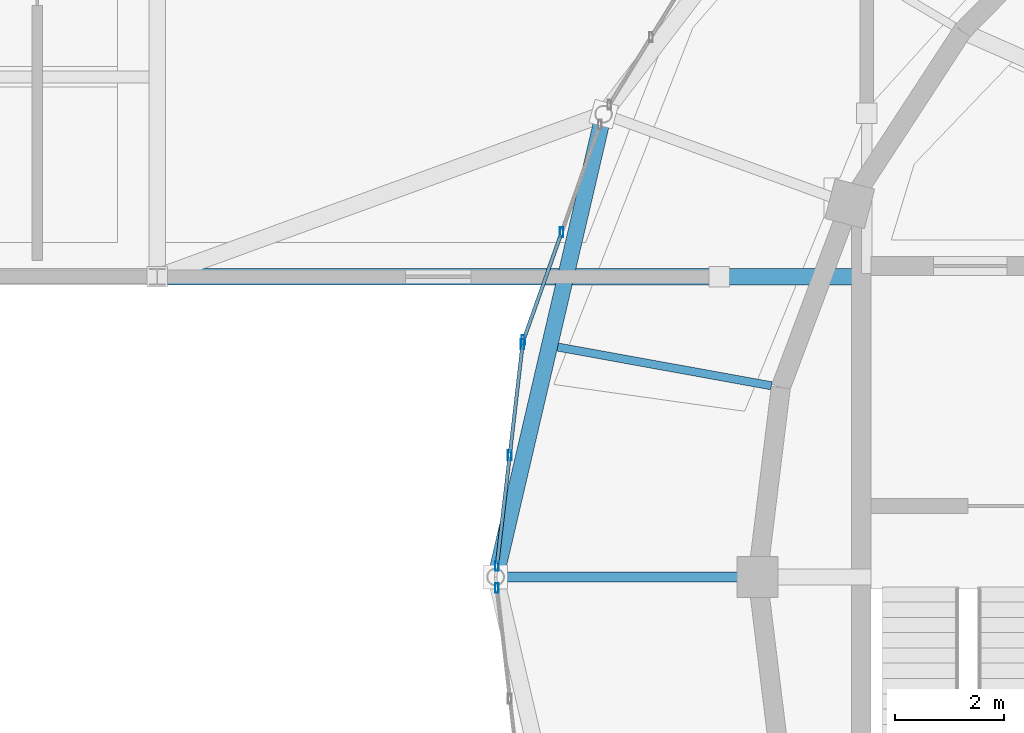
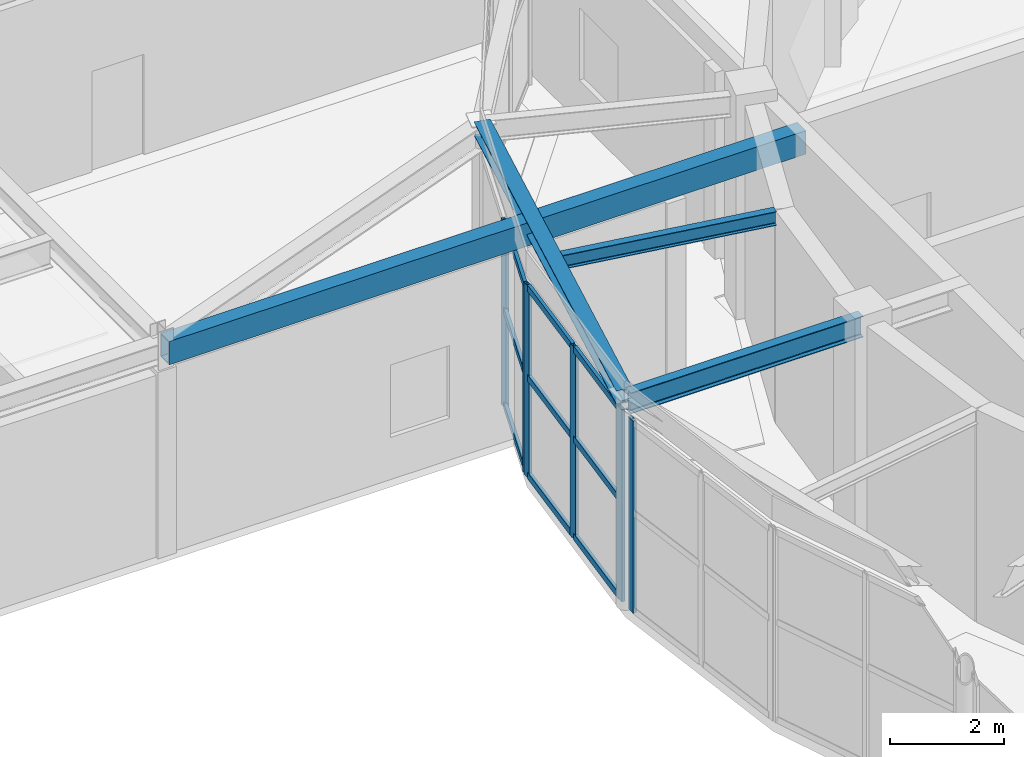
# One storey, part 32 of 108: 15 members, 4 beams, 3 elements without a shape of their own.
"""IFC4 building model written with IfcOpenShell, lengths in metres."""

import ifcopenshell
import ifcopenshell.guid

model = None  # the IFC model being written
_history = None  # IfcOwnerHistory: only IFC2X3 demands one
_inside = {}  # id of a spatial element -> (the spatial element, [elements in it])
_under = {}  # id of a project, library or spatial element -> (it, [spatial elements below it])
_declared = {}  # id of a project -> (the project, [libraries it declares])
_typed = {}  # id of a type object -> (the type object, [elements of that type])
_made_of = {}  # id of a material, layer set ... -> (it, [elements and type objects made of it])


def new_model(schema):
    """Start an empty IFC model of exactly this schema.

    Asked for "IFC4X3", IfcOpenShell would pick the latest addendum, in which some entities
    have other attributes; the version numbers below select the first issue.
    IFC2X3 requires an IfcOwnerHistory on every rooted entity: one is made here for all.
    """
    global model, _history
    if schema == "IFC4X3":
        model = ifcopenshell.file(schema_version=(4, 3, 0, 0))
    else:
        model = ifcopenshell.file(schema=schema)
    _inside.clear()
    _under.clear()
    _declared.clear()
    _typed.clear()
    _made_of.clear()
    _history = None
    if model.schema == "IFC2X3":
        org = make("IfcOrganization", Name="unknown")
        user = make(
            "IfcPersonAndOrganization",
            ThePerson=make("IfcPerson", FamilyName="unknown"),
            TheOrganization=org,
        )
        app = make(
            "IfcApplication",
            ApplicationDeveloper=org,
            Version="unknown",
            ApplicationFullName="unknown",
            ApplicationIdentifier="unknown",
        )
        _history = make(
            "IfcOwnerHistory",
            OwningUser=user,
            OwningApplication=app,
            ChangeAction="ADDED",
            CreationDate=0,
        )
    return model


def make(cls, **values):
    """One entity of the class cls with the attributes given. An attribute that is None is left unset."""
    return model.create_entity(
        cls, **{name: value for name, value in values.items() if value is not None}
    )


def rooted(cls, **values):
    """An entity with a GlobalId (a new one), such as an element, a storey or a relation."""
    return make(cls, GlobalId=ifcopenshell.guid.new(), OwnerHistory=_history, **values)


def si_unit(unit_type, name, prefix=None):
    """IfcSIUnit, for example si_unit("LENGTHUNIT", "METRE", prefix="MILLI")."""
    return make("IfcSIUnit", UnitType=unit_type, Prefix=prefix, Name=name)


def assignment(units):
    """IfcUnitAssignment: the units of a project."""
    return None if units is None else make("IfcUnitAssignment", Units=units)


def point(xyz):
    """IfcCartesianPoint."""
    return None if xyz is None else make("IfcCartesianPoint", Coordinates=xyz)


def direction(xyz):
    """IfcDirection."""
    return None if xyz is None else make("IfcDirection", DirectionRatios=xyz)


def frame(location, z_axis=None, x_axis=None):
    """IfcAxis2Placement3D, a coordinate frame: its origin and axes. An axis left out is left unset."""
    return make(
        "IfcAxis2Placement3D",
        Location=point(location),
        Axis=direction(z_axis),
        RefDirection=direction(x_axis),
    )


def frame_2d(location, x_axis=None):
    """IfcAxis2Placement2D, a coordinate frame in the plane: its origin and x axis."""
    return make(
        "IfcAxis2Placement2D", Location=point(location), RefDirection=direction(x_axis)
    )


def origin():
    """The frame at (0, 0, 0) with its axes left unset."""
    return frame((0.0, 0.0, 0.0))


def origin_2d():
    """The frame at (0, 0) in the plane with its x axis left unset."""
    return frame_2d((0.0, 0.0))


def place(relative_to, where):
    """IfcLocalPlacement: puts the frame where relative to a parent placement (None: the world)."""
    return make(
        "IfcLocalPlacement", PlacementRelTo=relative_to, RelativePlacement=where
    )


def context(
    kind, dimensions, precision=None, world=None, true_north=None, identifier=None
):
    """IfcGeometricRepresentationContext, for example the 3D "Model" context."""
    return make(
        "IfcGeometricRepresentationContext",
        ContextIdentifier=identifier,
        ContextType=kind,
        CoordinateSpaceDimension=dimensions,
        Precision=precision,
        WorldCoordinateSystem=world,
        TrueNorth=true_north,
    )


def subcontext(parent, identifier, kind, view, scale=None):
    """IfcGeometricRepresentationSubContext, for example "Body" below "Model"."""
    return make(
        "IfcGeometricRepresentationSubContext",
        ContextIdentifier=identifier,
        ContextType=kind,
        ParentContext=parent,
        TargetScale=scale,
        TargetView=view,
    )


def project(units=None, contexts=None):
    """IfcProject with its units and contexts."""
    return rooted(
        "IfcProject",
        Name="project",
        RepresentationContexts=contexts,
        UnitsInContext=assignment(units),
    )


def spatial(cls, under=None, at=None, **own):
    """A site, building, storey or space (cls), placed at a placement, below another one or the project."""
    s = rooted(cls, ObjectPlacement=at, **own)
    if under is not None:
        _under.setdefault(under.id(), (under, []))[1].append(s)
    return s


def profile(cls, at=None, kind="AREA", **sizes):
    """A parametric profile (cls). Its sizes go by their IFC names, for example OverallWidth=200.0."""
    return make(cls, ProfileType=kind, Position=at, **sizes)


def hollow_rectangle(**sizes):
    """IfcRectangleHollowProfileDef."""
    return profile("IfcRectangleHollowProfileDef", **sizes)


def i_section(**sizes):
    """IfcIShapeProfileDef."""
    return profile("IfcIShapeProfileDef", **sizes)


def extrude(swept, where, along, depth):
    """IfcExtrudedAreaSolid: the profile swept, set in the frame where, extruded along a direction by depth."""
    return make(
        "IfcExtrudedAreaSolid",
        SweptArea=swept,
        Position=where,
        ExtrudedDirection=direction(along),
        Depth=depth,
    )


def shape(context_of_items, identifier, shape_type, items):
    """IfcShapeRepresentation: the items that make up one representation, for example the "Body"."""
    return make(
        "IfcShapeRepresentation",
        ContextOfItems=context_of_items,
        RepresentationIdentifier=identifier,
        RepresentationType=shape_type,
        Items=items,
    )


def material(Name=None, Category=None):
    """IfcMaterial."""
    return make("IfcMaterial", Name=Name, Category=Category)


def material_profile(
    of_material, cross_section, Name=None, Category=None, Priority=None
):
    """IfcMaterialProfile: a cross section and its material."""
    return make(
        "IfcMaterialProfile",
        Name=Name,
        Material=of_material,
        Profile=cross_section,
        Priority=Priority,
        Category=Category,
    )


def profile_set(profiles, Name=None, composite=None):
    """IfcMaterialProfileSet."""
    return make(
        "IfcMaterialProfileSet",
        Name=Name,
        MaterialProfiles=profiles,
        CompositeProfile=composite,
    )


def made_of(thing, what):
    """Note that an element or type object is made of a material, layer set ...; save() writes the relation."""
    if what is not None:
        _made_of.setdefault(what.id(), (what, []))[1].append(thing)
    return thing


def type_object(cls, material=None, **own):
    """A type object (cls), such as IfcWallType, which elements share."""
    return made_of(rooted(cls, **own), material)


def element(
    cls,
    number,
    at=None,
    inside=None,
    cuts=None,
    type_object=None,
    material=None,
    context=None,
    identifier="Body",
    shape_type=None,
    held_by="IfcProductDefinitionShape",
    body=None,
    shapes=None,
    **own,
):
    """One element of the class cls, such as IfcWall. Its Tag is "e" and its number.

    at: its placement. inside: the storey or other place that contains it. cuts: it is an
    opening in that element (IfcRelVoidsElement). A single representation is given by context,
    identifier, shape_type and body (its items); several are given by shapes. held_by: the class
    of the entity that holds the representations. save() writes the other relations.
    """
    e = rooted(cls, Tag="e%d" % number, ObjectPlacement=at, **own)
    if body is not None:
        shapes = [shape(context, identifier, shape_type, body)]
    if shapes is not None:
        e.Representation = make(held_by, Representations=shapes)
    if inside is not None:
        _inside.setdefault(inside.id(), (inside, []))[1].append(e)
    if cuts is not None:
        rooted(
            "IfcRelVoidsElement", RelatingBuildingElement=cuts, RelatedOpeningElement=e
        )
    if type_object is not None:
        _typed.setdefault(type_object.id(), (type_object, []))[1].append(e)
    return made_of(e, material)


def aggregate(whole, parts):
    """IfcRelAggregates: a whole, such as a stair, and the parts it consists of."""
    return rooted("IfcRelAggregates", RelatingObject=whole, RelatedObjects=parts)


def save(model, path):
    """Write the relations noted so far, then the file.

    IfcRelAggregates (storeys below a building ...), IfcRelContainedInSpatialStructure (elements
    in a storey), IfcRelDefinesByType, IfcRelAssociatesMaterial and IfcRelDeclares: one each for
    every whole, place, type object, material and project.
    """
    for whole, parts in _under.values():
        aggregate(whole, parts)
    for where, things in _inside.values():
        rooted(
            "IfcRelContainedInSpatialStructure",
            RelatedElements=things,
            RelatingStructure=where,
        )
    for kind, things in _typed.values():
        rooted("IfcRelDefinesByType", RelatedObjects=things, RelatingType=kind)
    for what, things in _made_of.values():
        rooted("IfcRelAssociatesMaterial", RelatedObjects=things, RelatingMaterial=what)
    for by, libraries in _declared.values():
        rooted("IfcRelDeclares", RelatingContext=by, RelatedDefinitions=libraries)
    model.write(path)


model = new_model("IFC4")

# Units and contexts
model_context = context("Model", 3, precision=1e-05, world=origin(), true_north=direction((0.0, 1.0)))
body_context = subcontext(model_context, "Body", "Model", "MODEL_VIEW")
ifc_project = project(units=[si_unit("LENGTHUNIT", "METRE"), si_unit("AREAUNIT", "SQUARE_METRE"), si_unit("VOLUMEUNIT", "CUBIC_METRE"), si_unit("PLANEANGLEUNIT", "RADIAN"), si_unit("MASSUNIT", "GRAM", prefix="KILO")], contexts=[model_context])

# Site, building, storey
site_placement = place(None, origin())
site = spatial("IfcSite", under=ifc_project, at=site_placement, CompositionType="ELEMENT")
building_placement = place(site_placement, origin())
building = spatial("IfcBuilding", under=site, at=building_placement, Name="Tarnveldt Headland Concert Hall", CompositionType="ELEMENT")
storey_placement = place(building_placement, frame((0.0, 0.0, 9.60009765625)))
storey = spatial("IfcBuildingStorey", under=building, at=storey_placement, Name="L02", CompositionType="ELEMENT", Elevation=9.60009765625)

# Curtain wall, members
ifc_material_1 = material(Name="Marine-anodised aluminium EN AW-6063-T6", Category="aluminium")
curtain_wall_type = type_object("IfcCurtainWallType", Name="CW-F3", PredefinedType="NOTDEFINED", material=ifc_material_1)
curtain_wall_1_placement = place(storey_placement, origin())
curtain_wall_1 = element("IfcCurtainWall", 1, at=curtain_wall_1_placement, inside=storey, type_object=curtain_wall_type, Name="Curtain wall CW-L02-076", PredefinedType="NOTDEFINED")
ifc_material_profile_1 = material_profile(ifc_material_1, hollow_rectangle(XDim=0.06494140625, YDim=0.179931640625, WallThickness=0.00390625, at=origin_2d()), Name="ALU MULLION 65x180x4", Category="aluminium")
ifc_profile_set_1 = profile_set([ifc_material_profile_1], Name="Marine-anodised aluminium EN AW-6063-T6")
member_type_1 = type_object("IfcMemberType", Name="ML-180", PredefinedType="MULLION", material=ifc_profile_set_1)
member_1_placement = place(storey_placement, frame((51.9111328125, 60.81787109375, 0.0), z_axis=(0.0, 0.0, 1.0), x_axis=(1.0, 0.0, 0.0)))
member_1 = element("IfcMember", 2, at=member_1_placement, type_object=member_type_1, Name="Mullion CW-L02-076-2", PredefinedType="MULLION", context=body_context, shape_type="SweptSolid", body=[
    extrude(hollow_rectangle(XDim=0.06494140625, YDim=0.179931640625, WallThickness=0.00390625, at=origin_2d()), origin(), (0.0, 0.0, 1.0), 3.98779296875),
])
member_2_placement = place(storey_placement, frame((51.211669921875, 58.84423828125, 0.0), z_axis=(0.0, 0.0, 1.0), x_axis=(1.0, 0.0, 0.0)))
member_2 = element("IfcMember", 3, at=member_2_placement, type_object=member_type_1, Name="Mullion CW-L02-076-3", PredefinedType="MULLION", context=body_context, shape_type="SweptSolid", body=[
    extrude(hollow_rectangle(XDim=0.06494140625, YDim=0.179931640625, WallThickness=0.00390625, at=origin_2d()), origin(), (0.0, 0.0, 1.0), 3.98779296875),
])

curtain_wall_2_placement = place(storey_placement, origin())
curtain_wall_2 = element("IfcCurtainWall", 4, at=curtain_wall_2_placement, inside=storey, type_object=curtain_wall_type, Name="Curtain wall CW-L02-077", PredefinedType="NOTDEFINED")
member_3_placement = place(storey_placement, frame((51.193603515625, 58.766845703125, 0.0), z_axis=(0.0, 0.0, 1.0), x_axis=(1.0, 0.0, 0.0)))
member_3 = element("IfcMember", 5, at=member_3_placement, type_object=member_type_1, Name="Mullion CW-L02-077-1", PredefinedType="MULLION", context=body_context, shape_type="SweptSolid", body=[
    extrude(hollow_rectangle(XDim=0.06494140625, YDim=0.179931640625, WallThickness=0.00390625, at=origin_2d()), origin(), (0.0, 0.0, 1.0), 4.10791015625),
])
member_4_placement = place(storey_placement, frame((50.95849609375, 56.733642578125, 0.0), z_axis=(0.0, 0.0, 1.0), x_axis=(1.0, 0.0, 0.0)))
member_4 = element("IfcMember", 6, at=member_4_placement, type_object=member_type_1, Name="Mullion CW-L02-077-2", PredefinedType="MULLION", context=body_context, shape_type="SweptSolid", body=[
    extrude(hollow_rectangle(XDim=0.06494140625, YDim=0.179931640625, WallThickness=0.00390625, at=origin_2d()), origin(), (0.0, 0.0, 1.0), 4.10791015625),
])
member_5_placement = place(storey_placement, frame((50.72314453125, 54.70068359375, 0.0), z_axis=(0.0, 0.0, 1.0), x_axis=(1.0, 0.0, 0.0)))
member_5 = element("IfcMember", 7, at=member_5_placement, type_object=member_type_1, Name="Mullion CW-L02-077-3", PredefinedType="MULLION", context=body_context, shape_type="SweptSolid", body=[
    extrude(hollow_rectangle(XDim=0.06494140625, YDim=0.179931640625, WallThickness=0.00390625, at=origin_2d()), origin(), (0.0, 0.0, 1.0), 4.10791015625),
])

# Curtain wall, member
curtain_wall_3_placement = place(storey_placement, origin())
curtain_wall_3 = element("IfcCurtainWall", 8, at=curtain_wall_3_placement, inside=storey, type_object=curtain_wall_type, Name="Curtain wall CW-L02-078", PredefinedType="NOTDEFINED")
member_6_placement = place(storey_placement, frame((50.72314453125, 54.29931640625, 0.0), z_axis=(0.0, 0.0, 1.0), x_axis=(1.0, 0.0, 0.0)))
member_6 = element("IfcMember", 9, at=member_6_placement, type_object=member_type_1, Name="Mullion CW-L02-078-1", PredefinedType="MULLION", context=body_context, shape_type="SweptSolid", body=[
    extrude(hollow_rectangle(XDim=0.06494140625, YDim=0.179931640625, WallThickness=0.00390625, at=origin_2d()), origin(), (0.0, 0.0, 1.0), 4.10791015625),
])
aggregate(curtain_wall_3, [member_6])

# Beams
ifc_material_2 = material(Name="Steel S355", Category="steel")
ifc_material_profile_2 = material_profile(ifc_material_2, i_section(OverallWidth=0.300048828125, OverallDepth=0.2900390625, WebThickness=0.008544921875, FlangeThickness=0.013916015625, FilletRadius=0.027099609375, at=origin_2d()), Name="HEA300", Category="steel")
ifc_profile_set_2 = profile_set([ifc_material_profile_2], Name="Steel S355")
beam_type_1 = type_object("IfcBeamType", Name="SB-HEA300", PredefinedType="SPANDREL", material=ifc_profile_set_2)
beam_1_placement = place(storey_placement, frame((52.66455078125, 62.923583984375, 4.4248046875), z_axis=(-0.227123591729, -0.973865942561, 0.0), x_axis=(0.973865942561, -0.227123591729, 0.0)))
element("IfcBeam", 10, at=beam_1_placement, inside=storey, type_object=beam_type_1, Name="Framing beam L02-1019", PredefinedType="SPANDREL", context=body_context, shape_type="SweptSolid", body=[
    extrude(i_section(OverallWidth=0.300048828125, OverallDepth=0.2900390625, WebThickness=0.008544921875, FlangeThickness=0.013916015625, FilletRadius=0.027099609375, at=origin_2d()), origin(), (0.0, 0.0, 1.0), 8.589599609375),
])
ifc_material_profile_3 = material_profile(ifc_material_2, i_section(OverallWidth=0.14990234375, OverallDepth=0.300048828125, WebThickness=0.007080078125, FlangeThickness=0.0107421875, FilletRadius=0.014892578125, at=origin_2d()), Name="IPE300", Category="steel")
ifc_profile_set_3 = profile_set([ifc_material_profile_3], Name="Steel S355")
beam_type_2 = type_object("IfcBeamType", Name="SB-IPE300", PredefinedType="JOIST", material=ifc_profile_set_3)
beam_2_placement = place(storey_placement, frame((55.753173828125, 58.004150390625, 4.419921875), z_axis=(-0.983953220183, 0.178426624954, 0.0), x_axis=(-0.178426624954, -0.983953220183, 0.0)))
element("IfcBeam", 11, at=beam_2_placement, inside=storey, type_object=beam_type_2, Name="Framing beam L02-1021", PredefinedType="JOIST", context=body_context, shape_type="SweptSolid", body=[
    extrude(i_section(OverallWidth=0.14990234375, OverallDepth=0.300048828125, WebThickness=0.007080078125, FlangeThickness=0.0107421875, FilletRadius=0.014892578125, at=origin_2d()), origin(), (0.0, 0.0, 1.0), 3.98046875),
])
ifc_material_profile_4 = material_profile(ifc_material_2, i_section(OverallWidth=0.18994140625, OverallDepth=0.449951171875, WebThickness=0.009521484375, FlangeThickness=0.0146484375, FilletRadius=0.02099609375, at=origin_2d()), Name="IPE450", Category="steel")
ifc_profile_set_4 = profile_set([ifc_material_profile_4], Name="Steel S355")
beam_type_3 = type_object("IfcBeamType", Name="SB-IPE450", PredefinedType="BEAM", material=ifc_profile_set_4)
beam_3_placement = place(storey_placement, frame((55.4599609375, 54.5, 4.344970703125), z_axis=(-1.0, 0.0, 0.0), x_axis=(0.0, -1.0, 0.0)))
element("IfcBeam", 12, at=beam_3_placement, inside=storey, type_object=beam_type_3, Name="Framing beam L02-1023", PredefinedType="BEAM", context=body_context, shape_type="SweptSolid", body=[
    extrude(i_section(OverallWidth=0.18994140625, OverallDepth=0.449951171875, WebThickness=0.009521484375, FlangeThickness=0.0146484375, FilletRadius=0.02099609375, at=origin_2d()), origin(), (0.0, 0.0, 1.0), 4.699951171875),
])
ifc_material_profile_5 = material_profile(ifc_material_2, hollow_rectangle(XDim=0.300048828125, YDim=0.5, WallThickness=0.02001953125, at=origin_2d()), Name="RHS 500x300x20", Category="steel")
ifc_profile_set_5 = profile_set([ifc_material_profile_5], Name="Steel S355")
beam_type_4 = type_object("IfcBeamType", Name="SB-RHS500", PredefinedType="BEAM", material=ifc_profile_set_5)
beam_4_placement = place(storey_placement, frame((44.56005859375, 60.0, 4.289794921875), z_axis=(1.0, 0.0, 0.0), x_axis=(0.0, 1.0, 0.0)))
element("IfcBeam", 13, at=beam_4_placement, inside=storey, type_object=beam_type_4, Name="Framing beam L02-1222", PredefinedType="BEAM", context=body_context, shape_type="SweptSolid", body=[
    extrude(hollow_rectangle(XDim=0.300048828125, YDim=0.5, WallThickness=0.02001953125, at=origin_2d()), origin(), (0.0, 0.0, 1.0), 12.8798828125),
])

# Member
ifc_material_profile_6 = material_profile(ifc_material_1, hollow_rectangle(XDim=0.06494140625, YDim=0.139892578125, WallThickness=0.00390625, at=origin_2d()), Name="ALU TRANSOM 65x140x4", Category="aluminium")
ifc_profile_set_6 = profile_set([ifc_material_profile_6], Name="Marine-anodised aluminium EN AW-6063-T6")
member_type_2 = type_object("IfcMemberType", Name="TR-140", PredefinedType="MEMBER", material=ifc_profile_set_6)
member_7_placement = place(storey_placement, frame((51.896240234375, 60.77587890625, 0.0498046875), z_axis=(-0.333998157028, -0.942573727144, 0.0), x_axis=(0.942573727144, -0.333998157028, 0.0)))
member_7 = element("IfcMember", 14, at=member_7_placement, type_object=member_type_2, Name="Transom CW-L02-076-2-1", PredefinedType="MEMBER", context=body_context, shape_type="SweptSolid", body=[
    extrude(hollow_rectangle(XDim=0.06494140625, YDim=0.139892578125, WallThickness=0.00390625, at=origin_2d()), origin(), (0.0, 0.0, 1.0), 2.005126953125),
])

member_8_placement = place(storey_placement, frame((51.896240234375, 60.77587890625, 2.07373046875), z_axis=(-0.333998157028, -0.942573727144, 0.0), x_axis=(0.942573727144, -0.333998157028, 0.0)))
member_8 = element("IfcMember", 15, at=member_8_placement, type_object=member_type_2, Name="Transom CW-L02-076-2-2", PredefinedType="MEMBER", context=body_context, shape_type="SweptSolid", body=[
    extrude(hollow_rectangle(XDim=0.06494140625, YDim=0.139892578125, WallThickness=0.00390625, at=origin_2d()), origin(), (0.0, 0.0, 1.0), 2.005126953125),
])

member_9_placement = place(storey_placement, frame((51.896240234375, 60.77587890625, 3.93798828125), z_axis=(-0.333998157028, -0.942573727144, 0.0), x_axis=(0.942573727144, -0.333998157028, 0.0)))
member_9 = element("IfcMember", 16, at=member_9_placement, type_object=member_type_2, Name="Transom CW-L02-076-2-3", PredefinedType="MEMBER", context=body_context, shape_type="SweptSolid", body=[
    extrude(hollow_rectangle(XDim=0.06494140625, YDim=0.139892578125, WallThickness=0.00390625, at=origin_2d()), origin(), (0.0, 0.0, 1.0), 2.005126953125),
])

aggregate(curtain_wall_1, [member_1, member_2, member_7, member_8, member_9])

member_10_placement = place(storey_placement, frame((51.188720703125, 58.72265625, 0.0498046875), z_axis=(-0.114974356036, -0.993368460066, 0.0), x_axis=(0.993368460066, -0.114974356036, 0.0)))
member_10 = element("IfcMember", 17, at=member_10_placement, type_object=member_type_2, Name="Transom CW-L02-077-1-1", PredefinedType="MEMBER", context=body_context, shape_type="SweptSolid", body=[
    extrude(hollow_rectangle(XDim=0.06494140625, YDim=0.139892578125, WallThickness=0.00390625, at=origin_2d()), origin(), (0.0, 0.0, 1.0), 1.957763671875),
])

member_11_placement = place(storey_placement, frame((51.188720703125, 58.72265625, 2.135986328125), z_axis=(-0.114974356036, -0.993368460066, 0.0), x_axis=(0.993368460066, -0.114974356036, 0.0)))
member_11 = element("IfcMember", 18, at=member_11_placement, type_object=member_type_2, Name="Transom CW-L02-077-1-2", PredefinedType="MEMBER", context=body_context, shape_type="SweptSolid", body=[
    extrude(hollow_rectangle(XDim=0.06494140625, YDim=0.139892578125, WallThickness=0.00390625, at=origin_2d()), origin(), (0.0, 0.0, 1.0), 1.957763671875),
])

member_12_placement = place(storey_placement, frame((51.188720703125, 58.72265625, 4.057861328125), z_axis=(-0.114974356036, -0.993368460066, 0.0), x_axis=(0.993368460066, -0.114974356036, 0.0)))
member_12 = element("IfcMember", 19, at=member_12_placement, type_object=member_type_2, Name="Transom CW-L02-077-1-3", PredefinedType="MEMBER", context=body_context, shape_type="SweptSolid", body=[
    extrude(hollow_rectangle(XDim=0.06494140625, YDim=0.139892578125, WallThickness=0.00390625, at=origin_2d()), origin(), (0.0, 0.0, 1.0), 1.957763671875),
])

member_13_placement = place(storey_placement, frame((50.953369140625, 56.689453125, 0.0498046875), z_axis=(-0.114988600131, -0.993366811324, 0.0), x_axis=(0.993366811324, -0.114988600131, 0.0)))
member_13 = element("IfcMember", 20, at=member_13_placement, type_object=member_type_2, Name="Transom CW-L02-077-2-1", PredefinedType="MEMBER", context=body_context, shape_type="SweptSolid", body=[
    extrude(hollow_rectangle(XDim=0.06494140625, YDim=0.139892578125, WallThickness=0.00390625, at=origin_2d()), origin(), (0.0, 0.0, 1.0), 1.95751953125),
])

member_14_placement = place(storey_placement, frame((50.953369140625, 56.689453125, 2.135986328125), z_axis=(-0.114988600131, -0.993366811324, 0.0), x_axis=(0.993366811324, -0.114988600131, 0.0)))
member_14 = element("IfcMember", 21, at=member_14_placement, type_object=member_type_2, Name="Transom CW-L02-077-2-2", PredefinedType="MEMBER", context=body_context, shape_type="SweptSolid", body=[
    extrude(hollow_rectangle(XDim=0.06494140625, YDim=0.139892578125, WallThickness=0.00390625, at=origin_2d()), origin(), (0.0, 0.0, 1.0), 1.95751953125),
])

member_15_placement = place(storey_placement, frame((50.953369140625, 56.689453125, 4.057861328125), z_axis=(-0.114988600131, -0.993366811324, 0.0), x_axis=(0.993366811324, -0.114988600131, 0.0)))
member_15 = element("IfcMember", 22, at=member_15_placement, type_object=member_type_2, Name="Transom CW-L02-077-2-3", PredefinedType="MEMBER", context=body_context, shape_type="SweptSolid", body=[
    extrude(hollow_rectangle(XDim=0.06494140625, YDim=0.139892578125, WallThickness=0.00390625, at=origin_2d()), origin(), (0.0, 0.0, 1.0), 1.95751953125),
])

aggregate(curtain_wall_2, [member_3, member_4, member_5, member_10, member_11, member_12, member_13, member_14, member_15])

save(model, "model.ifc")
